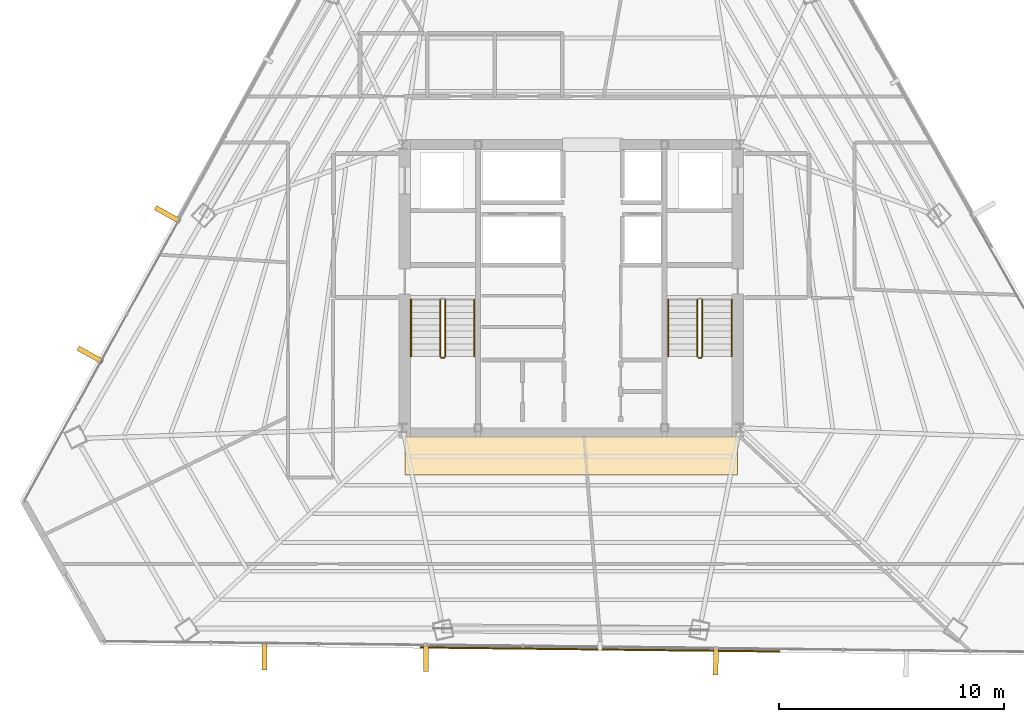
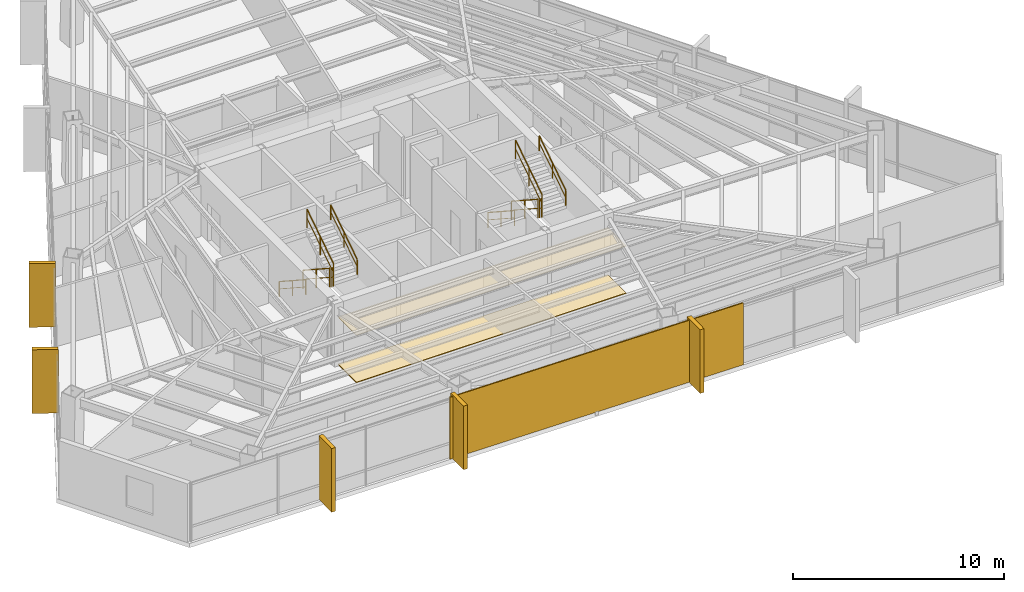
# One storey, part 39 of 41: 10 railings, 7 coverings, 1 shading device.
"""IFC4 building model written with IfcOpenShell, lengths in metres."""

from ifc_helpers import new_model, si_unit, direction, frame, origin, origin_2d, place, context, subcontext, project, spatial, polyline, rectangle, outline, extrude, source, transform, mapped, material, layer, layer_set, type_object, type_shapes, element, save


model = new_model("IFC4")

# Units and contexts
model_context = context("Model", 3, precision=1e-05, world=origin(), true_north=direction((0.0, 1.0)))
body_context = subcontext(model_context, "Body", "Model", "MODEL_VIEW")
ifc_project = project(units=[si_unit("LENGTHUNIT", "METRE"), si_unit("AREAUNIT", "SQUARE_METRE"), si_unit("VOLUMEUNIT", "CUBIC_METRE"), si_unit("PLANEANGLEUNIT", "RADIAN"), si_unit("MASSUNIT", "GRAM", prefix="KILO")], contexts=[model_context])

# Site, building, storey
site_placement = place(None, origin())
site = spatial("IfcSite", under=ifc_project, at=site_placement, CompositionType="ELEMENT")
building_placement = place(site_placement, origin())
building = spatial("IfcBuilding", under=site, at=building_placement, Name="Caelisora Broadcast Tower", CompositionType="ELEMENT")
storey_placement = place(building_placement, frame((0.0, 0.0, 209.60009765625)))
storey = spatial("IfcBuildingStorey", under=building, at=storey_placement, Name="L55", CompositionType="ELEMENT", Elevation=209.60009765625)

# Coverings
ifc_material_1 = material(Name="Perforated Mineral-Fibre Acoustic Ceiling Tile", Category="gypsum")
ifc_layer_1 = layer(ifc_material_1, 0.034912109375, Name="Perforated Mineral-Fibre Acoustic Ceiling Tile")
ifc_layer_set_1 = layer_set([ifc_layer_1], Name="Perforated Mineral-Fibre Acoustic Ceiling Tile")
covering_type_1 = type_object("IfcCoveringType", Name="CE-1", PredefinedType="CEILING", material=ifc_layer_set_1)
covering_1_placement = place(storey_placement, frame((0.0, 0.0, 2.75)))
element("IfcCovering", 1, at=covering_1_placement, inside=storey, type_object=covering_type_1, Name="L55 acoustic corridor ceiling CE-1 (S)", PredefinedType="CEILING", context=body_context, shape_type="SweptSolid", body=[
    extrude(outline(polyline([(30.60009765625, 15.300048828125), (45.39990234375, 15.300048828125), (45.39990234375, 17.050048828125), (30.60009765625, 17.050048828125), (30.60009765625, 15.300048828125)])), origin(), (0.0, 0.0, 1.0), 0.034912109375),
])
ifc_material_2 = material(Name="Anti-Static Broadcast Raised Access Floor Panel", Category="steel")
ifc_layer_2 = layer(ifc_material_2, 0.044921875, Name="Anti-Static Broadcast Raised Access Floor Panel")
ifc_layer_set_2 = layer_set([ifc_layer_2], Name="Anti-Static Broadcast Raised Access Floor Panel")
covering_type_2 = type_object("IfcCoveringType", Name="FL-1", PredefinedType="FLOORING", material=ifc_layer_set_2)
covering_2_placement = place(storey_placement, origin())
element("IfcCovering", 2, at=covering_2_placement, inside=storey, type_object=covering_type_2, Name="L55 broadcast raised access floor FL-1 (S)", PredefinedType="FLOORING", context=body_context, shape_type="SweptSolid", body=[
    extrude(outline(polyline([(30.60009765625, 15.300048828125), (45.39990234375, 15.300048828125), (45.39990234375, 17.050048828125), (30.60009765625, 17.050048828125), (30.60009765625, 15.300048828125)])), origin(), (0.0, 0.0, 1.0), 0.044921875),
])

# Railings
ifc_material_3 = material(Name="Galvanised Steel Safety Guardrail", Category="steel")
ifc_layer_3 = layer(ifc_material_3, 0.048095703125, Name="Galvanised Steel Safety Guardrail")
ifc_layer_set_3 = layer_set([ifc_layer_3], Name="Galvanised Steel Safety Guardrail")
railing_type_1 = type_object("IfcRailingType", Name="GR-1", PredefinedType="GUARDRAIL", material=ifc_layer_set_3)
railing_1_placement = place(storey_placement, frame((32.169921875, 23.10009765625, 0.182373046875)))
element("IfcRailing", 3, at=railing_1_placement, inside=storey, type_object=railing_type_1, Name="L55 ST-1 stair guard 1", PredefinedType="GUARDRAIL", context=body_context, shape_type="SweptSolid", body=[
    extrude(rectangle(XDim=0.048095703125, YDim=0.048095703125, at=origin_2d()), frame((0.0, 0.0, 1.076171875), z_axis=(0.0, -0.837749427056, 0.546054848405), x_axis=(1.0, 0.0, 0.0)), (0.0, 0.0, 1.0), 3.008056640625),
    extrude(rectangle(XDim=0.03125, YDim=0.03125, at=origin_2d()), frame((0.0, 0.0, 0.550048828125), z_axis=(0.0, -0.837749427056, 0.546054848405), x_axis=(1.0, 0.0, 0.0)), (0.0, 0.0, 1.0), 3.008056640625),
    extrude(rectangle(XDim=0.0419921875, YDim=0.0419921875, at=origin_2d()), origin(), (0.0, 0.0, 1.0), 1.052001953125),
    extrude(rectangle(XDim=0.0419921875, YDim=0.0419921875, at=origin_2d()), frame((0.0, -1.260009765625, 0.8212890625)), (0.0, 0.0, 1.0), 1.052001953125),
    extrude(rectangle(XDim=0.0419921875, YDim=0.0419921875, at=origin_2d()), frame((0.0, -2.52001953125, 1.642578125)), (0.0, 0.0, 1.0), 1.052001953125),
])
railing_2_placement = place(storey_placement, frame((32.219970703125, 20.530029296875, 1.824951171875)))
element("IfcRailing", 4, at=railing_2_placement, inside=storey, type_object=railing_type_1, Name="L55 ST-1 stair guard 2", PredefinedType="GUARDRAIL", context=body_context, shape_type="SweptSolid", body=[
    extrude(rectangle(XDim=0.048095703125, YDim=0.048095703125, at=origin_2d()), frame((0.0, 0.0, 1.076171875), z_axis=(1.0, 0.0, 0.0), x_axis=(0.0, 1.0, 0.0)), (0.0, 0.0, 1.0), 0.1201171875),
    extrude(rectangle(XDim=0.03125, YDim=0.03125, at=origin_2d()), frame((0.0, 0.0, 0.550048828125), z_axis=(1.0, 0.0, 0.0), x_axis=(0.0, 1.0, 0.0)), (0.0, 0.0, 1.0), 0.1201171875),
    extrude(rectangle(XDim=0.0419921875, YDim=0.0419921875, at=origin_2d()), origin(), (0.0, 0.0, 1.0), 1.052001953125),
    extrude(rectangle(XDim=0.0419921875, YDim=0.0419921875, at=origin_2d()), frame((0.1201171875, 0.0, 0.0)), (0.0, 0.0, 1.0), 1.052001953125),
])
railing_3_placement = place(storey_placement, frame((32.389892578125, 20.580078125, 2.00732421875)))
element("IfcRailing", 5, at=railing_3_placement, inside=storey, type_object=railing_type_1, Name="L55 ST-1 stair guard 3", PredefinedType="GUARDRAIL", context=body_context, shape_type="SweptSolid", body=[
    extrude(rectangle(XDim=0.048095703125, YDim=0.048095703125, at=origin_2d()), frame((0.0, 0.0, 1.076171875), z_axis=(0.0, 0.837749427056, 0.546054848405), x_axis=(-1.0, 0.0, 0.0)), (0.0, 0.0, 1.0), 3.008056640625),
    extrude(rectangle(XDim=0.03125, YDim=0.03125, at=origin_2d()), frame((0.0, 0.0, 0.550048828125), z_axis=(0.0, 0.837749427056, 0.546054848405), x_axis=(-1.0, 0.0, 0.0)), (0.0, 0.0, 1.0), 3.008056640625),
    extrude(rectangle(XDim=0.0419921875, YDim=0.0419921875, at=origin_2d()), origin(), (0.0, 0.0, 1.0), 1.052001953125),
    extrude(rectangle(XDim=0.0419921875, YDim=0.0419921875, at=origin_2d()), frame((0.0, 1.260009765625, 0.8212890625)), (0.0, 0.0, 1.0), 1.052001953125),
    extrude(rectangle(XDim=0.0419921875, YDim=0.0419921875, at=origin_2d()), frame((0.0, 2.52001953125, 1.642578125)), (0.0, 0.0, 1.0), 1.052001953125),
])
railing_4_placement = place(storey_placement, frame((43.610107421875, 23.10009765625, 0.182373046875)))
element("IfcRailing", 6, at=railing_4_placement, inside=storey, type_object=railing_type_1, Name="L55 ST-2 stair guard 1", PredefinedType="GUARDRAIL", context=body_context, shape_type="SweptSolid", body=[
    extrude(rectangle(XDim=0.048095703125, YDim=0.048095703125, at=origin_2d()), frame((0.0, 0.0, 1.076171875), z_axis=(0.0, -0.837749427056, 0.546054848405), x_axis=(1.0, 0.0, 0.0)), (0.0, 0.0, 1.0), 3.008056640625),
    extrude(rectangle(XDim=0.03125, YDim=0.03125, at=origin_2d()), frame((0.0, 0.0, 0.550048828125), z_axis=(0.0, -0.837749427056, 0.546054848405), x_axis=(1.0, 0.0, 0.0)), (0.0, 0.0, 1.0), 3.008056640625),
    extrude(rectangle(XDim=0.0419921875, YDim=0.0419921875, at=origin_2d()), origin(), (0.0, 0.0, 1.0), 1.052001953125),
    extrude(rectangle(XDim=0.0419921875, YDim=0.0419921875, at=origin_2d()), frame((0.0, -1.260009765625, 0.8212890625)), (0.0, 0.0, 1.0), 1.052001953125),
    extrude(rectangle(XDim=0.0419921875, YDim=0.0419921875, at=origin_2d()), frame((0.0, -2.52001953125, 1.642578125)), (0.0, 0.0, 1.0), 1.052001953125),
])
railing_5_placement = place(storey_placement, frame((43.659912109375, 20.530029296875, 1.824951171875)))
element("IfcRailing", 7, at=railing_5_placement, inside=storey, type_object=railing_type_1, Name="L55 ST-2 stair guard 2", PredefinedType="GUARDRAIL", context=body_context, shape_type="SweptSolid", body=[
    extrude(rectangle(XDim=0.048095703125, YDim=0.048095703125, at=origin_2d()), frame((0.0, 0.0, 1.076171875), z_axis=(1.0, 0.0, 0.0), x_axis=(0.0, 1.0, 0.0)), (0.0, 0.0, 1.0), 0.1201171875),
    extrude(rectangle(XDim=0.03125, YDim=0.03125, at=origin_2d()), frame((0.0, 0.0, 0.550048828125), z_axis=(1.0, 0.0, 0.0), x_axis=(0.0, 1.0, 0.0)), (0.0, 0.0, 1.0), 0.1201171875),
    extrude(rectangle(XDim=0.0419921875, YDim=0.0419921875, at=origin_2d()), origin(), (0.0, 0.0, 1.0), 1.052001953125),
    extrude(rectangle(XDim=0.0419921875, YDim=0.0419921875, at=origin_2d()), frame((0.1201171875, 0.0, 0.0)), (0.0, 0.0, 1.0), 1.052001953125),
])
railing_6_placement = place(storey_placement, frame((43.830078125, 20.580078125, 2.00732421875)))
element("IfcRailing", 8, at=railing_6_placement, inside=storey, type_object=railing_type_1, Name="L55 ST-2 stair guard 3", PredefinedType="GUARDRAIL", context=body_context, shape_type="SweptSolid", body=[
    extrude(rectangle(XDim=0.048095703125, YDim=0.048095703125, at=origin_2d()), frame((0.0, 0.0, 1.076171875), z_axis=(0.0, 0.837749427056, 0.546054848405), x_axis=(-1.0, 0.0, 0.0)), (0.0, 0.0, 1.0), 3.008056640625),
    extrude(rectangle(XDim=0.03125, YDim=0.03125, at=origin_2d()), frame((0.0, 0.0, 0.550048828125), z_axis=(0.0, 0.837749427056, 0.546054848405), x_axis=(-1.0, 0.0, 0.0)), (0.0, 0.0, 1.0), 3.008056640625),
    extrude(rectangle(XDim=0.0419921875, YDim=0.0419921875, at=origin_2d()), origin(), (0.0, 0.0, 1.0), 1.052001953125),
    extrude(rectangle(XDim=0.0419921875, YDim=0.0419921875, at=origin_2d()), frame((0.0, 1.260009765625, 0.8212890625)), (0.0, 0.0, 1.0), 1.052001953125),
    extrude(rectangle(XDim=0.0419921875, YDim=0.0419921875, at=origin_2d()), frame((0.0, 2.52001953125, 1.642578125)), (0.0, 0.0, 1.0), 1.052001953125),
])
ifc_material_4 = material(Name="Stainless Steel Grade 316 Tubular Handrail", Category="steel")
ifc_layer_4 = layer(ifc_material_4, 0.048095703125, Name="Stainless Steel Grade 316 Tubular Handrail")
ifc_layer_set_4 = layer_set([ifc_layer_4], Name="Stainless Steel Grade 316 Tubular Handrail")
railing_type_2 = type_object("IfcRailingType", Name="HR-1", PredefinedType="HANDRAIL", material=ifc_layer_set_4)
railing_7_placement = place(storey_placement, frame((30.8701171875, 23.10009765625, 0.182373046875)))
element("IfcRailing", 9, at=railing_7_placement, inside=storey, type_object=railing_type_2, Name="L55 ST-1 stair handrail 1", PredefinedType="HANDRAIL", context=body_context, shape_type="SweptSolid", body=[
    extrude(rectangle(XDim=0.048095703125, YDim=0.048095703125, at=origin_2d()), frame((0.0, 0.0, 0.8759765625), z_axis=(0.0, -0.837749427056, 0.546054848405), x_axis=(1.0, 0.0, 0.0)), (0.0, 0.0, 1.0), 3.008056640625),
    extrude(rectangle(XDim=0.03125, YDim=0.03125, at=origin_2d()), frame((0.0, 0.0, 0.449951171875), z_axis=(0.0, -0.837749427056, 0.546054848405), x_axis=(1.0, 0.0, 0.0)), (0.0, 0.0, 1.0), 3.008056640625),
    extrude(rectangle(XDim=0.0419921875, YDim=0.0419921875, at=origin_2d()), origin(), (0.0, 0.0, 1.0), 0.851806640625),
    extrude(rectangle(XDim=0.0419921875, YDim=0.0419921875, at=origin_2d()), frame((0.0, -1.260009765625, 0.8212890625)), (0.0, 0.0, 1.0), 0.851806640625),
    extrude(rectangle(XDim=0.0419921875, YDim=0.0419921875, at=origin_2d()), frame((0.0, -2.52001953125, 1.642578125)), (0.0, 0.0, 1.0), 0.851806640625),
])
railing_8_placement = place(storey_placement, frame((33.68994140625, 20.580078125, 2.00732421875)))
element("IfcRailing", 10, at=railing_8_placement, inside=storey, type_object=railing_type_2, Name="L55 ST-1 stair handrail 2", PredefinedType="HANDRAIL", context=body_context, shape_type="SweptSolid", body=[
    extrude(rectangle(XDim=0.048095703125, YDim=0.048095703125, at=origin_2d()), frame((0.0, 0.0, 0.8759765625), z_axis=(0.0, 0.837749427056, 0.546054848405), x_axis=(-1.0, 0.0, 0.0)), (0.0, 0.0, 1.0), 3.008056640625),
    extrude(rectangle(XDim=0.03125, YDim=0.03125, at=origin_2d()), frame((0.0, 0.0, 0.449951171875), z_axis=(0.0, 0.837749427056, 0.546054848405), x_axis=(-1.0, 0.0, 0.0)), (0.0, 0.0, 1.0), 3.008056640625),
    extrude(rectangle(XDim=0.0419921875, YDim=0.0419921875, at=origin_2d()), origin(), (0.0, 0.0, 1.0), 0.851806640625),
    extrude(rectangle(XDim=0.0419921875, YDim=0.0419921875, at=origin_2d()), frame((0.0, 1.260009765625, 0.8212890625)), (0.0, 0.0, 1.0), 0.851806640625),
    extrude(rectangle(XDim=0.0419921875, YDim=0.0419921875, at=origin_2d()), frame((0.0, 2.52001953125, 1.642578125)), (0.0, 0.0, 1.0), 0.851806640625),
])
railing_9_placement = place(storey_placement, frame((42.31005859375, 23.10009765625, 0.182373046875)))
element("IfcRailing", 11, at=railing_9_placement, inside=storey, type_object=railing_type_2, Name="L55 ST-2 stair handrail 1", PredefinedType="HANDRAIL", context=body_context, shape_type="SweptSolid", body=[
    extrude(rectangle(XDim=0.048095703125, YDim=0.048095703125, at=origin_2d()), frame((0.0, 0.0, 0.8759765625), z_axis=(0.0, -0.837749427056, 0.546054848405), x_axis=(1.0, 0.0, 0.0)), (0.0, 0.0, 1.0), 3.008056640625),
    extrude(rectangle(XDim=0.03125, YDim=0.03125, at=origin_2d()), frame((0.0, 0.0, 0.449951171875), z_axis=(0.0, -0.837749427056, 0.546054848405), x_axis=(1.0, 0.0, 0.0)), (0.0, 0.0, 1.0), 3.008056640625),
    extrude(rectangle(XDim=0.0419921875, YDim=0.0419921875, at=origin_2d()), origin(), (0.0, 0.0, 1.0), 0.851806640625),
    extrude(rectangle(XDim=0.0419921875, YDim=0.0419921875, at=origin_2d()), frame((0.0, -1.260009765625, 0.8212890625)), (0.0, 0.0, 1.0), 0.851806640625),
    extrude(rectangle(XDim=0.0419921875, YDim=0.0419921875, at=origin_2d()), frame((0.0, -2.52001953125, 1.642578125)), (0.0, 0.0, 1.0), 0.851806640625),
])
railing_10_placement = place(storey_placement, frame((45.1298828125, 20.580078125, 2.00732421875)))
element("IfcRailing", 12, at=railing_10_placement, inside=storey, type_object=railing_type_2, Name="L55 ST-2 stair handrail 2", PredefinedType="HANDRAIL", context=body_context, shape_type="SweptSolid", body=[
    extrude(rectangle(XDim=0.048095703125, YDim=0.048095703125, at=origin_2d()), frame((0.0, 0.0, 0.8759765625), z_axis=(0.0, 0.837749427056, 0.546054848405), x_axis=(-1.0, 0.0, 0.0)), (0.0, 0.0, 1.0), 3.008056640625),
    extrude(rectangle(XDim=0.03125, YDim=0.03125, at=origin_2d()), frame((0.0, 0.0, 0.449951171875), z_axis=(0.0, 0.837749427056, 0.546054848405), x_axis=(-1.0, 0.0, 0.0)), (0.0, 0.0, 1.0), 3.008056640625),
    extrude(rectangle(XDim=0.0419921875, YDim=0.0419921875, at=origin_2d()), origin(), (0.0, 0.0, 1.0), 0.851806640625),
    extrude(rectangle(XDim=0.0419921875, YDim=0.0419921875, at=origin_2d()), frame((0.0, 1.260009765625, 0.8212890625)), (0.0, 0.0, 1.0), 0.851806640625),
    extrude(rectangle(XDim=0.0419921875, YDim=0.0419921875, at=origin_2d()), frame((0.0, 2.52001953125, 1.642578125)), (0.0, 0.0, 1.0), 0.851806640625),
])

# Coverings
ifc_material_5 = material(Name="Kiln-Fired Terracotta Spandrel Rainscreen Cladding", Category="ceramic")
ifc_layer_5 = layer(ifc_material_5, 0.044921875, Name="Kiln-Fired Terracotta Spandrel Rainscreen Cladding")
ifc_layer_set_5 = layer_set([ifc_layer_5], Name="Kiln-Fired Terracotta Spandrel Rainscreen Cladding")
covering_type_3 = type_object("IfcCoveringType", Name="CL-1", PredefinedType="CLADDING", material=ifc_layer_set_5)
shared_shape_1 = source(origin(), body_context, "Body", "SweptSolid", [
    extrude(rectangle(XDim=0.219970703125, YDim=1.25, at=origin_2d()), origin(), (0.0, 0.0, 1.0), 3.68994140625),
])
type_shapes(covering_type_3, [shared_shape_1])
for number, where, z_axis, x_axis, name in (
    (13, (44.428955078125, 7.03466796875, -0.02001953125), (0.0, 0.0, 1.0), (-0.99993565026, 0.011344396795, 0.0), "L55 vertical solar fin cladding #2-2"),
    (14, (31.54150390625, 7.181884765625, -0.02001953125), (0.0, 0.0, 1.0), (-0.99993565026, 0.011344396795, 0.0), "L55 vertical solar fin cladding #2-3"),
    (15, (24.35595703125, 7.263916015625, -0.02001953125), (0.0, 0.0, 1.0), (-0.99993565026, 0.011344396795, 0.0), "L55 vertical solar fin cladding #2-4"),
    (16, (16.60400390625, 20.646728515625, -0.02001953125), (0.0, 0.0, 1.0), (0.482976759048, 0.875633171036, 0.0), "L55 vertical solar fin cladding #3-1"),
    (17, (20.048583984375, 26.89111328125, -0.02001953125), (0.0, 0.0, 1.0), (0.482976759048, 0.875633171036, 0.0), "L55 vertical solar fin cladding #3-2"),
):
    element("IfcCovering", number, at=place(storey_placement, frame(where, z_axis=z_axis, x_axis=x_axis)), inside=storey, type_object=covering_type_3, Name=name, PredefinedType="CLADDING", context=body_context, shape_type="MappedRepresentation", body=[
        mapped(shared_shape_1, transform((0.0, 0.0, 0.0), scale=1.0)),
    ])

# Shading device
ifc_material_6 = material(Name="Perforated Glazed Terracotta Baguette Solar Screen", Category="ceramic")
ifc_layer_6 = layer(ifc_material_6, 0.06494140625, Name="Perforated Glazed Terracotta Baguette Solar Screen")
ifc_layer_set_6 = layer_set([ifc_layer_6], Name="Perforated Glazed Terracotta Baguette Solar Screen")
shading_device_type = type_object("IfcShadingDeviceType", Name="SS-1", PredefinedType="USERDEFINED", material=ifc_layer_set_6)
shared_shape_2 = source(origin(), body_context, "Body", "SweptSolid", [
    extrude(rectangle(XDim=15.97802734375, YDim=0.06494140625, at=origin_2d()), origin(), (0.0, 0.0, 1.0), 3.590087890625),
])
type_shapes(shading_device_type, [shared_shape_2])
shading_device_placement = place(storey_placement, frame((39.279541015625, 7.54345703125, 0.0), z_axis=(0.0, 0.0, 1.0), x_axis=(0.99993565026, -0.011344396795, 0.0)))
element("IfcShadingDevice", 18, at=shading_device_placement, inside=storey, type_object=shading_device_type, Name="L55 perforated terracotta solar screen #2", ObjectType="SOLAR SCREEN", PredefinedType="USERDEFINED", context=body_context, shape_type="MappedRepresentation", body=[
    mapped(shared_shape_2, transform((0.0, 0.0, 0.0), scale=1.0)),
])

save(model, "model.ifc")
